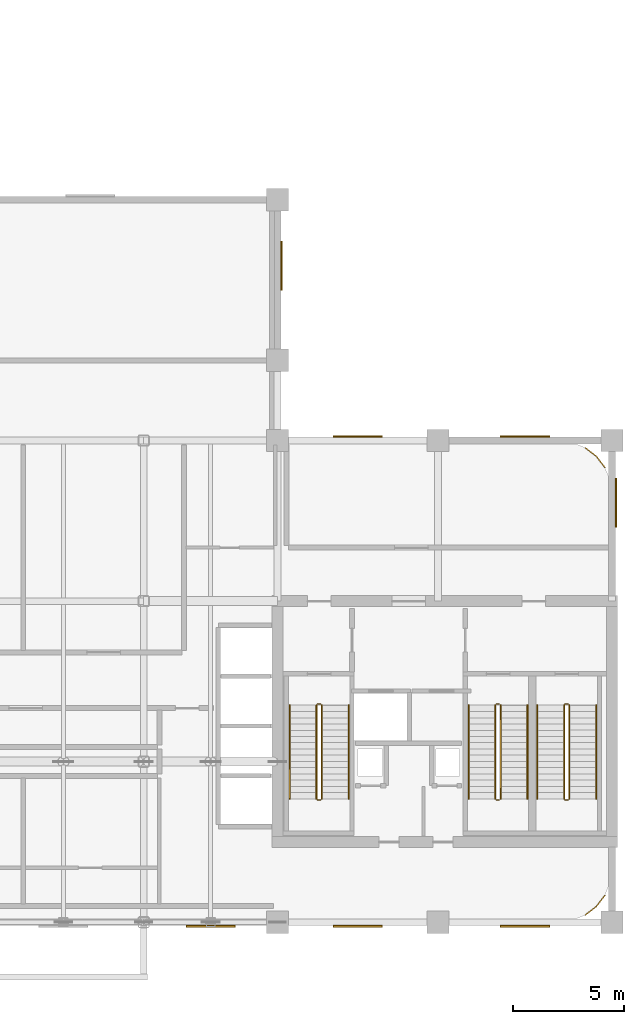
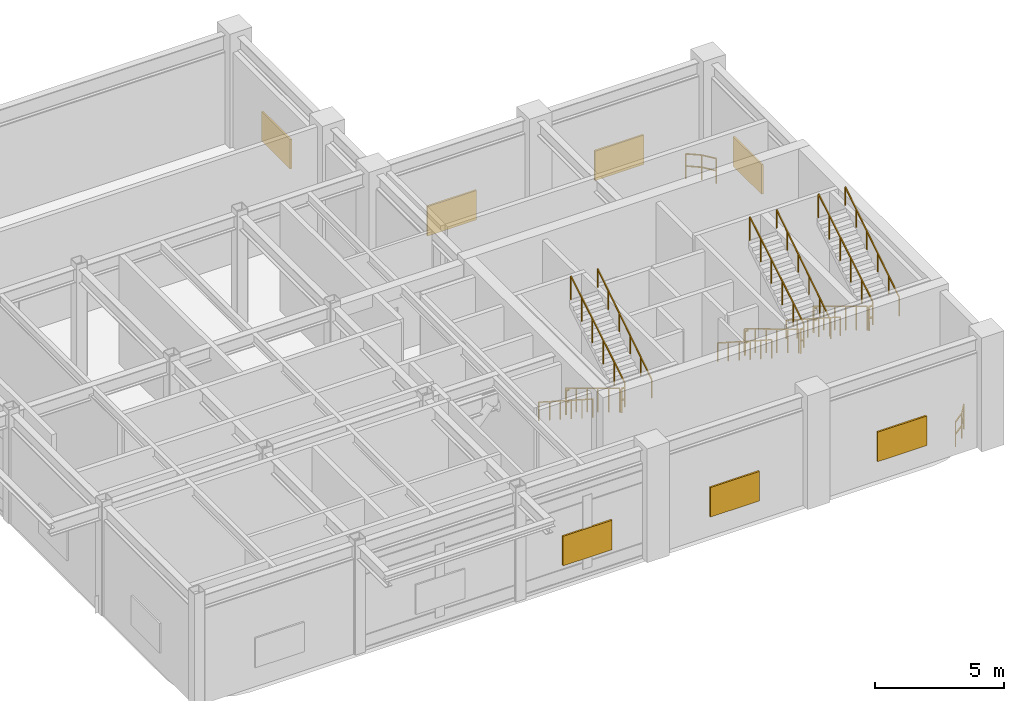
# One storey, part 9 of 10: 20 railings, 7 shading devices.
"""IFC4 building model written with IfcOpenShell, lengths in metres."""

from ifc_helpers import new_model, si_unit, derived_unit, direction, frame, origin, origin_2d, place, context, subcontext, project, spatial, rectangle, extrude, source, transform, mapped, material, layer, layer_set, type_object, type_shapes, element, save


model = new_model("IFC4")

# Units and contexts
model_context = context("Model", 3, precision=1e-05, world=origin(), true_north=direction((0.0, 1.0)))
body_context = subcontext(model_context, "Body", "Model", "MODEL_VIEW")
ifc_project = project(units=[si_unit("LENGTHUNIT", "METRE"), si_unit("AREAUNIT", "SQUARE_METRE"), si_unit("VOLUMEUNIT", "CUBIC_METRE"), si_unit("PLANEANGLEUNIT", "RADIAN"), si_unit("MASSUNIT", "GRAM", prefix="KILO"), si_unit("THERMODYNAMICTEMPERATUREUNIT", "KELVIN"), si_unit("POWERUNIT", "WATT"), derived_unit("THERMALTRANSMITTANCEUNIT", [(si_unit("POWERUNIT", "WATT"), 1), (si_unit("AREAUNIT", "SQUARE_METRE"), -1), (si_unit("THERMODYNAMICTEMPERATUREUNIT", "KELVIN"), -1)])], contexts=[model_context])

# Site, building, storey
site_placement = place(None, origin())
site = spatial("IfcSite", under=ifc_project, at=site_placement, CompositionType="ELEMENT")
building_placement = place(site_placement, origin())
building = spatial("IfcBuilding", under=site, at=building_placement, Name="Zahravan Archway Hotel and Residences", CompositionType="ELEMENT")
storey_placement = place(building_placement, frame((0.0, 0.0, 196.5)))
storey = spatial("IfcBuildingStorey", under=building, at=storey_placement, Name="L49", CompositionType="ELEMENT", Elevation=196.5)

# Railings
ifc_material_1 = material(Name="Painted Tubular Steel", Category="steel")
railing_type_1 = type_object("IfcRailingType", Name="RL-STG-1150", PredefinedType="GUARDRAIL", material=ifc_material_1)
railing_1_placement = place(storey_placement, frame((36.550048828125, 9.72998046875, 0.168701171875)))
element("IfcRailing", 1, at=railing_1_placement, inside=storey, type_object=railing_type_1, Name="L49 ST-A1 stair guard 1", PredefinedType="GUARDRAIL", context=body_context, shape_type="SweptSolid", body=[
    extrude(rectangle(XDim=0.048095703125, YDim=0.048095703125, at=origin_2d()), frame((0.0, 0.0, 1.1259765625), z_axis=(0.0, -0.856476492594, 0.516186030065), x_axis=(1.0, 0.0, 0.0)), (0.0, 0.0, 1.0), 4.90380859375),
    extrude(rectangle(XDim=0.0419921875, YDim=0.0419921875, at=origin_2d()), origin(), (0.0, 0.0, 1.0), 1.101806640625),
    extrude(rectangle(XDim=0.0419921875, YDim=0.0419921875, at=origin_2d()), frame((0.0, -0.840087890625, 0.50634765625)), (0.0, 0.0, 1.0), 1.101806640625),
    extrude(rectangle(XDim=0.0419921875, YDim=0.0419921875, at=origin_2d()), frame((0.0, -1.679931640625, 1.012451171875)), (0.0, 0.0, 1.0), 1.101806640625),
    extrude(rectangle(XDim=0.0419921875, YDim=0.0419921875, at=origin_2d()), frame((0.0, -2.52001953125, 1.518798828125)), (0.0, 0.0, 1.0), 1.101806640625),
    extrude(rectangle(XDim=0.0419921875, YDim=0.0419921875, at=origin_2d()), frame((0.0, -3.35986328125, 2.02490234375)), (0.0, 0.0, 1.0), 1.101806640625),
    extrude(rectangle(XDim=0.0419921875, YDim=0.0419921875, at=origin_2d()), frame((0.0, -4.199951171875, 2.53125)), (0.0, 0.0, 1.0), 1.101806640625),
])
railing_2_placement = place(storey_placement, frame((36.60009765625, 5.47998046875, 2.699951171875)))
element("IfcRailing", 2, at=railing_2_placement, inside=storey, type_object=railing_type_1, Name="L49 ST-A1 stair guard 2", PredefinedType="GUARDRAIL", context=body_context, shape_type="SweptSolid", body=[
    extrude(rectangle(XDim=0.048095703125, YDim=0.048095703125, at=origin_2d()), frame((0.0, 0.0, 1.1259765625), z_axis=(1.0, 0.0, 0.0), x_axis=(0.0, 1.0, 0.0)), (0.0, 0.0, 1.0), 0.139892578125),
    extrude(rectangle(XDim=0.048095703125, YDim=0.048095703125, at=origin_2d()), frame((0.0, 0.0, 0.574951171875), z_axis=(1.0, 0.0, 0.0), x_axis=(0.0, 1.0, 0.0)), (0.0, 0.0, 1.0), 0.139892578125),
    extrude(rectangle(XDim=0.0419921875, YDim=0.0419921875, at=origin_2d()), origin(), (0.0, 0.0, 1.0), 1.101806640625),
])
railing_3_placement = place(storey_placement, frame((36.7900390625, 5.530029296875, 2.86865234375)))
element("IfcRailing", 3, at=railing_3_placement, inside=storey, type_object=railing_type_1, Name="L49 ST-A1 stair guard 3", PredefinedType="GUARDRAIL", context=body_context, shape_type="SweptSolid", body=[
    extrude(rectangle(XDim=0.048095703125, YDim=0.048095703125, at=origin_2d()), frame((0.0, 0.0, 1.1259765625), z_axis=(0.0, 0.856476492594, 0.516186030065), x_axis=(-1.0, 0.0, 0.0)), (0.0, 0.0, 1.0), 4.90380859375),
    extrude(rectangle(XDim=0.0419921875, YDim=0.0419921875, at=origin_2d()), origin(), (0.0, 0.0, 1.0), 1.101806640625),
    extrude(rectangle(XDim=0.0419921875, YDim=0.0419921875, at=origin_2d()), frame((0.0, 0.840087890625, 0.50634765625)), (0.0, 0.0, 1.0), 1.101806640625),
    extrude(rectangle(XDim=0.0419921875, YDim=0.0419921875, at=origin_2d()), frame((0.0, 1.679931640625, 1.012451171875)), (0.0, 0.0, 1.0), 1.101806640625),
    extrude(rectangle(XDim=0.0419921875, YDim=0.0419921875, at=origin_2d()), frame((0.0, 2.52001953125, 1.518798828125)), (0.0, 0.0, 1.0), 1.101806640625),
    extrude(rectangle(XDim=0.0419921875, YDim=0.0419921875, at=origin_2d()), frame((0.0, 3.35986328125, 2.02490234375)), (0.0, 0.0, 1.0), 1.101806640625),
    extrude(rectangle(XDim=0.0419921875, YDim=0.0419921875, at=origin_2d()), frame((0.0, 4.199951171875, 2.53125)), (0.0, 0.0, 1.0), 1.101806640625),
])
railing_4_placement = place(storey_placement, frame((36.60009765625, 9.780029296875, 0.0)))
element("IfcRailing", 4, at=railing_4_placement, inside=storey, type_object=railing_type_1, Name="L49 ST-A1 stair guard 4", PredefinedType="GUARDRAIL", context=body_context, shape_type="SweptSolid", body=[
    extrude(rectangle(XDim=0.048095703125, YDim=0.048095703125, at=origin_2d()), frame((0.0, 0.0, 1.1259765625), z_axis=(1.0, 0.0, 0.0), x_axis=(0.0, 1.0, 0.0)), (0.0, 0.0, 1.0), 0.139892578125),
    extrude(rectangle(XDim=0.048095703125, YDim=0.048095703125, at=origin_2d()), frame((0.0, 0.0, 0.574951171875), z_axis=(1.0, 0.0, 0.0), x_axis=(0.0, 1.0, 0.0)), (0.0, 0.0, 1.0), 0.139892578125),
    extrude(rectangle(XDim=0.0419921875, YDim=0.0419921875, at=origin_2d()), origin(), (0.0, 0.0, 1.0), 1.101806640625),
])
railing_5_placement = place(storey_placement, frame((44.570068359375, 9.72998046875, 0.168701171875)))
element("IfcRailing", 5, at=railing_5_placement, inside=storey, type_object=railing_type_1, Name="L49 ST-A2 stair guard 1", PredefinedType="GUARDRAIL", context=body_context, shape_type="SweptSolid", body=[
    extrude(rectangle(XDim=0.048095703125, YDim=0.048095703125, at=origin_2d()), frame((0.0, 0.0, 1.1259765625), z_axis=(0.0, -0.856476492594, 0.516186030065), x_axis=(1.0, 0.0, 0.0)), (0.0, 0.0, 1.0), 4.90380859375),
    extrude(rectangle(XDim=0.0419921875, YDim=0.0419921875, at=origin_2d()), origin(), (0.0, 0.0, 1.0), 1.101806640625),
    extrude(rectangle(XDim=0.0419921875, YDim=0.0419921875, at=origin_2d()), frame((0.0, -0.840087890625, 0.50634765625)), (0.0, 0.0, 1.0), 1.101806640625),
    extrude(rectangle(XDim=0.0419921875, YDim=0.0419921875, at=origin_2d()), frame((0.0, -1.679931640625, 1.012451171875)), (0.0, 0.0, 1.0), 1.101806640625),
    extrude(rectangle(XDim=0.0419921875, YDim=0.0419921875, at=origin_2d()), frame((0.0, -2.52001953125, 1.518798828125)), (0.0, 0.0, 1.0), 1.101806640625),
    extrude(rectangle(XDim=0.0419921875, YDim=0.0419921875, at=origin_2d()), frame((0.0, -3.35986328125, 2.02490234375)), (0.0, 0.0, 1.0), 1.101806640625),
    extrude(rectangle(XDim=0.0419921875, YDim=0.0419921875, at=origin_2d()), frame((0.0, -4.199951171875, 2.53125)), (0.0, 0.0, 1.0), 1.101806640625),
])
railing_6_placement = place(storey_placement, frame((44.6201171875, 5.47998046875, 2.699951171875)))
element("IfcRailing", 6, at=railing_6_placement, inside=storey, type_object=railing_type_1, Name="L49 ST-A2 stair guard 2", PredefinedType="GUARDRAIL", context=body_context, shape_type="SweptSolid", body=[
    extrude(rectangle(XDim=0.048095703125, YDim=0.048095703125, at=origin_2d()), frame((0.0, 0.0, 1.1259765625), z_axis=(1.0, 0.0, 0.0), x_axis=(0.0, 1.0, 0.0)), (0.0, 0.0, 1.0), 0.139892578125),
    extrude(rectangle(XDim=0.048095703125, YDim=0.048095703125, at=origin_2d()), frame((0.0, 0.0, 0.574951171875), z_axis=(1.0, 0.0, 0.0), x_axis=(0.0, 1.0, 0.0)), (0.0, 0.0, 1.0), 0.139892578125),
    extrude(rectangle(XDim=0.0419921875, YDim=0.0419921875, at=origin_2d()), origin(), (0.0, 0.0, 1.0), 1.101806640625),
])
railing_7_placement = place(storey_placement, frame((44.81005859375, 5.530029296875, 2.86865234375)))
element("IfcRailing", 7, at=railing_7_placement, inside=storey, type_object=railing_type_1, Name="L49 ST-A2 stair guard 3", PredefinedType="GUARDRAIL", context=body_context, shape_type="SweptSolid", body=[
    extrude(rectangle(XDim=0.048095703125, YDim=0.048095703125, at=origin_2d()), frame((0.0, 0.0, 1.1259765625), z_axis=(0.0, 0.856476492594, 0.516186030065), x_axis=(-1.0, 0.0, 0.0)), (0.0, 0.0, 1.0), 4.90380859375),
    extrude(rectangle(XDim=0.0419921875, YDim=0.0419921875, at=origin_2d()), origin(), (0.0, 0.0, 1.0), 1.101806640625),
    extrude(rectangle(XDim=0.0419921875, YDim=0.0419921875, at=origin_2d()), frame((0.0, 0.840087890625, 0.50634765625)), (0.0, 0.0, 1.0), 1.101806640625),
    extrude(rectangle(XDim=0.0419921875, YDim=0.0419921875, at=origin_2d()), frame((0.0, 1.679931640625, 1.012451171875)), (0.0, 0.0, 1.0), 1.101806640625),
    extrude(rectangle(XDim=0.0419921875, YDim=0.0419921875, at=origin_2d()), frame((0.0, 2.52001953125, 1.518798828125)), (0.0, 0.0, 1.0), 1.101806640625),
    extrude(rectangle(XDim=0.0419921875, YDim=0.0419921875, at=origin_2d()), frame((0.0, 3.35986328125, 2.02490234375)), (0.0, 0.0, 1.0), 1.101806640625),
    extrude(rectangle(XDim=0.0419921875, YDim=0.0419921875, at=origin_2d()), frame((0.0, 4.199951171875, 2.53125)), (0.0, 0.0, 1.0), 1.101806640625),
])
railing_8_placement = place(storey_placement, frame((44.6201171875, 9.780029296875, 0.0)))
element("IfcRailing", 8, at=railing_8_placement, inside=storey, type_object=railing_type_1, Name="L49 ST-A2 stair guard 4", PredefinedType="GUARDRAIL", context=body_context, shape_type="SweptSolid", body=[
    extrude(rectangle(XDim=0.048095703125, YDim=0.048095703125, at=origin_2d()), frame((0.0, 0.0, 1.1259765625), z_axis=(1.0, 0.0, 0.0), x_axis=(0.0, 1.0, 0.0)), (0.0, 0.0, 1.0), 0.139892578125),
    extrude(rectangle(XDim=0.048095703125, YDim=0.048095703125, at=origin_2d()), frame((0.0, 0.0, 0.574951171875), z_axis=(1.0, 0.0, 0.0), x_axis=(0.0, 1.0, 0.0)), (0.0, 0.0, 1.0), 0.139892578125),
    extrude(rectangle(XDim=0.0419921875, YDim=0.0419921875, at=origin_2d()), origin(), (0.0, 0.0, 1.0), 1.101806640625),
])
railing_9_placement = place(storey_placement, frame((47.64990234375, 9.72998046875, 0.168701171875)))
element("IfcRailing", 9, at=railing_9_placement, inside=storey, type_object=railing_type_1, Name="L49 ST-A3 stair guard 1", PredefinedType="GUARDRAIL", context=body_context, shape_type="SweptSolid", body=[
    extrude(rectangle(XDim=0.048095703125, YDim=0.048095703125, at=origin_2d()), frame((0.0, 0.0, 1.1259765625), z_axis=(0.0, -0.856476492594, 0.516186030065), x_axis=(1.0, 0.0, 0.0)), (0.0, 0.0, 1.0), 4.90380859375),
    extrude(rectangle(XDim=0.0419921875, YDim=0.0419921875, at=origin_2d()), origin(), (0.0, 0.0, 1.0), 1.101806640625),
    extrude(rectangle(XDim=0.0419921875, YDim=0.0419921875, at=origin_2d()), frame((0.0, -0.840087890625, 0.50634765625)), (0.0, 0.0, 1.0), 1.101806640625),
    extrude(rectangle(XDim=0.0419921875, YDim=0.0419921875, at=origin_2d()), frame((0.0, -1.679931640625, 1.012451171875)), (0.0, 0.0, 1.0), 1.101806640625),
    extrude(rectangle(XDim=0.0419921875, YDim=0.0419921875, at=origin_2d()), frame((0.0, -2.52001953125, 1.518798828125)), (0.0, 0.0, 1.0), 1.101806640625),
    extrude(rectangle(XDim=0.0419921875, YDim=0.0419921875, at=origin_2d()), frame((0.0, -3.35986328125, 2.02490234375)), (0.0, 0.0, 1.0), 1.101806640625),
    extrude(rectangle(XDim=0.0419921875, YDim=0.0419921875, at=origin_2d()), frame((0.0, -4.199951171875, 2.53125)), (0.0, 0.0, 1.0), 1.101806640625),
])
railing_10_placement = place(storey_placement, frame((47.699951171875, 5.47998046875, 2.699951171875)))
element("IfcRailing", 10, at=railing_10_placement, inside=storey, type_object=railing_type_1, Name="L49 ST-A3 stair guard 2", PredefinedType="GUARDRAIL", context=body_context, shape_type="SweptSolid", body=[
    extrude(rectangle(XDim=0.048095703125, YDim=0.048095703125, at=origin_2d()), frame((0.0, 0.0, 1.1259765625), z_axis=(1.0, 0.0, 0.0), x_axis=(0.0, 1.0, 0.0)), (0.0, 0.0, 1.0), 0.14013671875),
    extrude(rectangle(XDim=0.048095703125, YDim=0.048095703125, at=origin_2d()), frame((0.0, 0.0, 0.574951171875), z_axis=(1.0, 0.0, 0.0), x_axis=(0.0, 1.0, 0.0)), (0.0, 0.0, 1.0), 0.14013671875),
    extrude(rectangle(XDim=0.0419921875, YDim=0.0419921875, at=origin_2d()), origin(), (0.0, 0.0, 1.0), 1.101806640625),
])
railing_11_placement = place(storey_placement, frame((47.889892578125, 5.530029296875, 2.86865234375)))
element("IfcRailing", 11, at=railing_11_placement, inside=storey, type_object=railing_type_1, Name="L49 ST-A3 stair guard 3", PredefinedType="GUARDRAIL", context=body_context, shape_type="SweptSolid", body=[
    extrude(rectangle(XDim=0.048095703125, YDim=0.048095703125, at=origin_2d()), frame((0.0, 0.0, 1.1259765625), z_axis=(0.0, 0.856476492594, 0.516186030065), x_axis=(-1.0, 0.0, 0.0)), (0.0, 0.0, 1.0), 4.90380859375),
    extrude(rectangle(XDim=0.0419921875, YDim=0.0419921875, at=origin_2d()), origin(), (0.0, 0.0, 1.0), 1.101806640625),
    extrude(rectangle(XDim=0.0419921875, YDim=0.0419921875, at=origin_2d()), frame((0.0, 0.840087890625, 0.50634765625)), (0.0, 0.0, 1.0), 1.101806640625),
    extrude(rectangle(XDim=0.0419921875, YDim=0.0419921875, at=origin_2d()), frame((0.0, 1.679931640625, 1.012451171875)), (0.0, 0.0, 1.0), 1.101806640625),
    extrude(rectangle(XDim=0.0419921875, YDim=0.0419921875, at=origin_2d()), frame((0.0, 2.52001953125, 1.518798828125)), (0.0, 0.0, 1.0), 1.101806640625),
    extrude(rectangle(XDim=0.0419921875, YDim=0.0419921875, at=origin_2d()), frame((0.0, 3.35986328125, 2.02490234375)), (0.0, 0.0, 1.0), 1.101806640625),
    extrude(rectangle(XDim=0.0419921875, YDim=0.0419921875, at=origin_2d()), frame((0.0, 4.199951171875, 2.53125)), (0.0, 0.0, 1.0), 1.101806640625),
])
railing_12_placement = place(storey_placement, frame((47.699951171875, 9.780029296875, 0.0)))
element("IfcRailing", 12, at=railing_12_placement, inside=storey, type_object=railing_type_1, Name="L49 ST-A3 stair guard 4", PredefinedType="GUARDRAIL", context=body_context, shape_type="SweptSolid", body=[
    extrude(rectangle(XDim=0.048095703125, YDim=0.048095703125, at=origin_2d()), frame((0.0, 0.0, 1.1259765625), z_axis=(1.0, 0.0, 0.0), x_axis=(0.0, 1.0, 0.0)), (0.0, 0.0, 1.0), 0.14013671875),
    extrude(rectangle(XDim=0.048095703125, YDim=0.048095703125, at=origin_2d()), frame((0.0, 0.0, 0.574951171875), z_axis=(1.0, 0.0, 0.0), x_axis=(0.0, 1.0, 0.0)), (0.0, 0.0, 1.0), 0.14013671875),
    extrude(rectangle(XDim=0.0419921875, YDim=0.0419921875, at=origin_2d()), origin(), (0.0, 0.0, 1.0), 1.101806640625),
])
ifc_material_2 = material(Name="Brushed Stainless Steel", Category="steel")
railing_type_2 = type_object("IfcRailingType", Name="RL-STH-900", PredefinedType="HANDRAIL", material=ifc_material_2)
railing_13_placement = place(storey_placement, frame((35.35009765625, 9.72998046875, 0.168701171875)))
element("IfcRailing", 13, at=railing_13_placement, inside=storey, type_object=railing_type_2, Name="L49 ST-A1 stair handrail 1", PredefinedType="HANDRAIL", context=body_context, shape_type="SweptSolid", body=[
    extrude(rectangle(XDim=0.048095703125, YDim=0.048095703125, at=origin_2d()), frame((0.0, 0.0, 0.8759765625), z_axis=(0.0, -0.841180064094, 0.540755119968), x_axis=(1.0, 0.0, 0.0)), (0.0, 0.0, 1.0), 4.992919921875),
    extrude(rectangle(XDim=0.0419921875, YDim=0.0419921875, at=origin_2d()), origin(), (0.0, 0.0, 1.0), 0.851806640625),
    extrude(rectangle(XDim=0.0419921875, YDim=0.0419921875, at=origin_2d()), frame((0.0, -0.840087890625, 0.5400390625)), (0.0, 0.0, 1.0), 0.851806640625),
    extrude(rectangle(XDim=0.0419921875, YDim=0.0419921875, at=origin_2d()), frame((0.0, -1.679931640625, 1.080078125)), (0.0, 0.0, 1.0), 0.851806640625),
    extrude(rectangle(XDim=0.0419921875, YDim=0.0419921875, at=origin_2d()), frame((0.0, -2.52001953125, 1.619873046875)), (0.0, 0.0, 1.0), 0.851806640625),
    extrude(rectangle(XDim=0.0419921875, YDim=0.0419921875, at=origin_2d()), frame((0.0, -3.35986328125, 2.159912109375)), (0.0, 0.0, 1.0), 0.851806640625),
    extrude(rectangle(XDim=0.0419921875, YDim=0.0419921875, at=origin_2d()), frame((0.0, -4.199951171875, 2.699951171875)), (0.0, 0.0, 1.0), 0.851806640625),
])
railing_14_placement = place(storey_placement, frame((37.989990234375, 5.530029296875, 2.86865234375)))
element("IfcRailing", 14, at=railing_14_placement, inside=storey, type_object=railing_type_2, Name="L49 ST-A1 stair handrail 2", PredefinedType="HANDRAIL", context=body_context, shape_type="SweptSolid", body=[
    extrude(rectangle(XDim=0.048095703125, YDim=0.048095703125, at=origin_2d()), frame((0.0, 0.0, 0.8759765625), z_axis=(0.0, 0.841157821942, 0.54078971753), x_axis=(-1.0, 0.0, 0.0)), (0.0, 0.0, 1.0), 4.9931640625),
    extrude(rectangle(XDim=0.0419921875, YDim=0.0419921875, at=origin_2d()), origin(), (0.0, 0.0, 1.0), 0.851806640625),
    extrude(rectangle(XDim=0.0419921875, YDim=0.0419921875, at=origin_2d()), frame((0.0, 0.840087890625, 0.5400390625)), (0.0, 0.0, 1.0), 0.851806640625),
    extrude(rectangle(XDim=0.0419921875, YDim=0.0419921875, at=origin_2d()), frame((0.0, 1.679931640625, 1.080078125)), (0.0, 0.0, 1.0), 0.851806640625),
    extrude(rectangle(XDim=0.0419921875, YDim=0.0419921875, at=origin_2d()), frame((0.0, 2.52001953125, 1.6201171875)), (0.0, 0.0, 1.0), 0.851806640625),
    extrude(rectangle(XDim=0.0419921875, YDim=0.0419921875, at=origin_2d()), frame((0.0, 3.35986328125, 2.16015625)), (0.0, 0.0, 1.0), 0.851806640625),
    extrude(rectangle(XDim=0.0419921875, YDim=0.0419921875, at=origin_2d()), frame((0.0, 4.199951171875, 2.7001953125)), (0.0, 0.0, 1.0), 0.851806640625),
])
railing_15_placement = place(storey_placement, frame((43.3701171875, 9.72998046875, 0.168701171875)))
element("IfcRailing", 15, at=railing_15_placement, inside=storey, type_object=railing_type_2, Name="L49 ST-A2 stair handrail 1", PredefinedType="HANDRAIL", context=body_context, shape_type="SweptSolid", body=[
    extrude(rectangle(XDim=0.048095703125, YDim=0.048095703125, at=origin_2d()), frame((0.0, 0.0, 0.8759765625), z_axis=(0.0, -0.841180064094, 0.540755119968), x_axis=(1.0, 0.0, 0.0)), (0.0, 0.0, 1.0), 4.992919921875),
    extrude(rectangle(XDim=0.0419921875, YDim=0.0419921875, at=origin_2d()), origin(), (0.0, 0.0, 1.0), 0.851806640625),
    extrude(rectangle(XDim=0.0419921875, YDim=0.0419921875, at=origin_2d()), frame((0.0, -0.840087890625, 0.5400390625)), (0.0, 0.0, 1.0), 0.851806640625),
    extrude(rectangle(XDim=0.0419921875, YDim=0.0419921875, at=origin_2d()), frame((0.0, -1.679931640625, 1.080078125)), (0.0, 0.0, 1.0), 0.851806640625),
    extrude(rectangle(XDim=0.0419921875, YDim=0.0419921875, at=origin_2d()), frame((0.0, -2.52001953125, 1.619873046875)), (0.0, 0.0, 1.0), 0.851806640625),
    extrude(rectangle(XDim=0.0419921875, YDim=0.0419921875, at=origin_2d()), frame((0.0, -3.35986328125, 2.159912109375)), (0.0, 0.0, 1.0), 0.851806640625),
    extrude(rectangle(XDim=0.0419921875, YDim=0.0419921875, at=origin_2d()), frame((0.0, -4.199951171875, 2.699951171875)), (0.0, 0.0, 1.0), 0.851806640625),
])
railing_16_placement = place(storey_placement, frame((46.010009765625, 5.530029296875, 2.86865234375)))
element("IfcRailing", 16, at=railing_16_placement, inside=storey, type_object=railing_type_2, Name="L49 ST-A2 stair handrail 2", PredefinedType="HANDRAIL", context=body_context, shape_type="SweptSolid", body=[
    extrude(rectangle(XDim=0.048095703125, YDim=0.048095703125, at=origin_2d()), frame((0.0, 0.0, 0.8759765625), z_axis=(0.0, 0.841157821942, 0.54078971753), x_axis=(-1.0, 0.0, 0.0)), (0.0, 0.0, 1.0), 4.9931640625),
    extrude(rectangle(XDim=0.0419921875, YDim=0.0419921875, at=origin_2d()), origin(), (0.0, 0.0, 1.0), 0.851806640625),
    extrude(rectangle(XDim=0.0419921875, YDim=0.0419921875, at=origin_2d()), frame((0.0, 0.840087890625, 0.5400390625)), (0.0, 0.0, 1.0), 0.851806640625),
    extrude(rectangle(XDim=0.0419921875, YDim=0.0419921875, at=origin_2d()), frame((0.0, 1.679931640625, 1.080078125)), (0.0, 0.0, 1.0), 0.851806640625),
    extrude(rectangle(XDim=0.0419921875, YDim=0.0419921875, at=origin_2d()), frame((0.0, 2.52001953125, 1.6201171875)), (0.0, 0.0, 1.0), 0.851806640625),
    extrude(rectangle(XDim=0.0419921875, YDim=0.0419921875, at=origin_2d()), frame((0.0, 3.35986328125, 2.16015625)), (0.0, 0.0, 1.0), 0.851806640625),
    extrude(rectangle(XDim=0.0419921875, YDim=0.0419921875, at=origin_2d()), frame((0.0, 4.199951171875, 2.7001953125)), (0.0, 0.0, 1.0), 0.851806640625),
])
railing_17_placement = place(storey_placement, frame((46.449951171875, 9.72998046875, 0.168701171875)))
element("IfcRailing", 17, at=railing_17_placement, inside=storey, type_object=railing_type_2, Name="L49 ST-A3 stair handrail 1", PredefinedType="HANDRAIL", context=body_context, shape_type="SweptSolid", body=[
    extrude(rectangle(XDim=0.048095703125, YDim=0.048095703125, at=origin_2d()), frame((0.0, 0.0, 0.8759765625), z_axis=(0.0, -0.841180064094, 0.540755119968), x_axis=(1.0, 0.0, 0.0)), (0.0, 0.0, 1.0), 4.992919921875),
    extrude(rectangle(XDim=0.0419921875, YDim=0.0419921875, at=origin_2d()), origin(), (0.0, 0.0, 1.0), 0.851806640625),
    extrude(rectangle(XDim=0.0419921875, YDim=0.0419921875, at=origin_2d()), frame((0.0, -0.840087890625, 0.5400390625)), (0.0, 0.0, 1.0), 0.851806640625),
    extrude(rectangle(XDim=0.0419921875, YDim=0.0419921875, at=origin_2d()), frame((0.0, -1.679931640625, 1.080078125)), (0.0, 0.0, 1.0), 0.851806640625),
    extrude(rectangle(XDim=0.0419921875, YDim=0.0419921875, at=origin_2d()), frame((0.0, -2.52001953125, 1.619873046875)), (0.0, 0.0, 1.0), 0.851806640625),
    extrude(rectangle(XDim=0.0419921875, YDim=0.0419921875, at=origin_2d()), frame((0.0, -3.35986328125, 2.159912109375)), (0.0, 0.0, 1.0), 0.851806640625),
    extrude(rectangle(XDim=0.0419921875, YDim=0.0419921875, at=origin_2d()), frame((0.0, -4.199951171875, 2.699951171875)), (0.0, 0.0, 1.0), 0.851806640625),
])
railing_18_placement = place(storey_placement, frame((49.090087890625, 5.530029296875, 2.86865234375)))
element("IfcRailing", 18, at=railing_18_placement, inside=storey, type_object=railing_type_2, Name="L49 ST-A3 stair handrail 2", PredefinedType="HANDRAIL", context=body_context, shape_type="SweptSolid", body=[
    extrude(rectangle(XDim=0.048095703125, YDim=0.048095703125, at=origin_2d()), frame((0.0, 0.0, 0.8759765625), z_axis=(0.0, 0.841157821942, 0.54078971753), x_axis=(-1.0, 0.0, 0.0)), (0.0, 0.0, 1.0), 4.9931640625),
    extrude(rectangle(XDim=0.0419921875, YDim=0.0419921875, at=origin_2d()), origin(), (0.0, 0.0, 1.0), 0.851806640625),
    extrude(rectangle(XDim=0.0419921875, YDim=0.0419921875, at=origin_2d()), frame((0.0, 0.840087890625, 0.5400390625)), (0.0, 0.0, 1.0), 0.851806640625),
    extrude(rectangle(XDim=0.0419921875, YDim=0.0419921875, at=origin_2d()), frame((0.0, 1.679931640625, 1.080078125)), (0.0, 0.0, 1.0), 0.851806640625),
    extrude(rectangle(XDim=0.0419921875, YDim=0.0419921875, at=origin_2d()), frame((0.0, 2.52001953125, 1.6201171875)), (0.0, 0.0, 1.0), 0.851806640625),
    extrude(rectangle(XDim=0.0419921875, YDim=0.0419921875, at=origin_2d()), frame((0.0, 3.35986328125, 2.16015625)), (0.0, 0.0, 1.0), 0.851806640625),
    extrude(rectangle(XDim=0.0419921875, YDim=0.0419921875, at=origin_2d()), frame((0.0, 4.199951171875, 2.7001953125)), (0.0, 0.0, 1.0), 0.851806640625),
])
ifc_material_3 = material(Name="Architectural Bronze Terrace Guardrail")
railing_type_3 = type_object("IfcRailingType", Name="RL-TER-1200", PredefinedType="GUARDRAIL", material=ifc_material_3)
railing_19_placement = place(storey_placement, frame((48.60009765625, 0.321533203125, 0.0)))
element("IfcRailing", 19, at=railing_19_placement, inside=storey, type_object=railing_type_3, Name="L49 Balustrade RL-REFCRN-L49-4", PredefinedType="GUARDRAIL", context=body_context, shape_type="SweptSolid", body=[
    extrude(rectangle(XDim=0.048095703125, YDim=0.048095703125, at=origin_2d()), frame((0.0, 0.0, 1.17578125), z_axis=(0.793405610854, 0.608693302629, 0.0), x_axis=(-0.608693302629, 0.793405610854, 0.0)), (0.0, 0.0, 1.0), 0.62646484375),
    extrude(rectangle(XDim=0.048095703125, YDim=0.048095703125, at=origin_2d()), frame((0.0, 0.0, 0.60009765625), z_axis=(0.793405610854, 0.608693302629, 0.0), x_axis=(-0.608693302629, 0.793405610854, 0.0)), (0.0, 0.0, 1.0), 0.62646484375),
    extrude(rectangle(XDim=0.048095703125, YDim=0.048095703125, at=origin_2d()), frame((0.4970703125, 0.38134765625, 1.17578125), z_axis=(0.608693302629, 0.793405610854, 0.0), x_axis=(-0.793405610854, 0.608693302629, 0.0)), (0.0, 0.0, 1.0), 0.62646484375),
    extrude(rectangle(XDim=0.048095703125, YDim=0.048095703125, at=origin_2d()), frame((0.4970703125, 0.38134765625, 0.60009765625), z_axis=(0.608693302629, 0.793405610854, 0.0), x_axis=(-0.793405610854, 0.608693302629, 0.0)), (0.0, 0.0, 1.0), 0.62646484375),
    extrude(rectangle(XDim=0.0419921875, YDim=0.0419921875, at=origin_2d()), origin(), (0.0, 0.0, 1.0), 1.15185546875),
    extrude(rectangle(XDim=0.0419921875, YDim=0.0419921875, at=origin_2d()), frame((0.4970703125, 0.38134765625, 0.0)), (0.0, 0.0, 1.0), 1.15185546875),
    extrude(rectangle(XDim=0.0419921875, YDim=0.0419921875, at=origin_2d()), frame((0.87841796875, 0.87841796875, 0.0)), (0.0, 0.0, 1.0), 1.15185546875),
])
railing_20_placement = place(storey_placement, frame((49.478515625, 20.39990234375, 0.0)))
element("IfcRailing", 20, at=railing_20_placement, inside=storey, type_object=railing_type_3, Name="L49 Balustrade RL-REFCRN-L49-5", PredefinedType="GUARDRAIL", context=body_context, shape_type="SweptSolid", body=[
    extrude(rectangle(XDim=0.048095703125, YDim=0.048095703125, at=origin_2d()), frame((0.0, 0.0, 1.17578125), z_axis=(-0.608505147302, 0.793549926411, 0.0), x_axis=(-0.793549926411, -0.608505147302, 0.0)), (0.0, 0.0, 1.0), 0.626708984375),
    extrude(rectangle(XDim=0.048095703125, YDim=0.048095703125, at=origin_2d()), frame((0.0, 0.0, 0.60009765625), z_axis=(-0.608505147302, 0.793549926411, 0.0), x_axis=(-0.793549926411, -0.608505147302, 0.0)), (0.0, 0.0, 1.0), 0.626708984375),
    extrude(rectangle(XDim=0.048095703125, YDim=0.048095703125, at=origin_2d()), frame((-0.38134765625, 0.497314453125, 1.17578125), z_axis=(-0.793405610854, 0.608693302629, 0.0), x_axis=(-0.608693302629, -0.793405610854, 0.0)), (0.0, 0.0, 1.0), 0.62646484375),
    extrude(rectangle(XDim=0.048095703125, YDim=0.048095703125, at=origin_2d()), frame((-0.38134765625, 0.497314453125, 0.60009765625), z_axis=(-0.793405610854, 0.608693302629, 0.0), x_axis=(-0.608693302629, -0.793405610854, 0.0)), (0.0, 0.0, 1.0), 0.62646484375),
    extrude(rectangle(XDim=0.0419921875, YDim=0.0419921875, at=origin_2d()), origin(), (0.0, 0.0, 1.0), 1.15185546875),
    extrude(rectangle(XDim=0.0419921875, YDim=0.0419921875, at=origin_2d()), frame((-0.38134765625, 0.497314453125, 0.0)), (0.0, 0.0, 1.0), 1.15185546875),
    extrude(rectangle(XDim=0.0419921875, YDim=0.0419921875, at=origin_2d()), frame((-0.87841796875, 0.878662109375, 0.0)), (0.0, 0.0, 1.0), 1.15185546875),
])

# Shading devices
ifc_material_4 = material(Name="Bronze Acoustic Intake Louvre")
ifc_layer = layer(ifc_material_4, 0.080078125, Name="Bronze Acoustic Intake Louvre")
ifc_layer_set = layer_set([ifc_layer], Name="Bronze Acoustic Intake Louvre")
shading_device_type = type_object("IfcShadingDeviceType", Name="SHD-LOUVRE-60", PredefinedType="USERDEFINED", material=ifc_layer_set)
shared_shape = source(origin(), body_context, "Body", "SweptSolid", [
    extrude(rectangle(XDim=2.199951171875, YDim=0.080078125, at=origin_2d()), origin(), (0.0, 0.0, 1.0), 1.39990234375),
])
type_shapes(shading_device_type, [shared_shape])
for number, where, z_axis, x_axis, name in (
    (21, (31.800048828125, -0.179931640625, 0.949951171875), (0.0, 0.0, 1.0), (1.0, 0.0, 0.0), "L49 Acoustic Plant Intake Louvre 03"),
    (22, (38.39990234375, -0.179931640625, 0.949951171875), (0.0, 0.0, 1.0), (1.0, 0.0, 0.0), "L49 Acoustic Plant Intake Louvre 04"),
    (23, (45.89990234375, -0.179931640625, 0.949951171875), (0.0, 0.0, 1.0), (1.0, 0.0, 0.0), "L49 Acoustic Plant Intake Louvre 05"),
    (24, (49.97998046875, 18.802978515625, 0.949951171875), (0.0, 0.0, 1.0), (0.0, 1.0, 0.0), "L49 Acoustic Plant Intake Louvre 06"),
    (25, (38.39990234375, 21.780029296875, 0.949951171875), (0.0, 0.0, 1.0), (1.0, 0.0, 0.0), "L49 Acoustic Plant Intake Louvre 07"),
    (26, (45.89990234375, 21.780029296875, 0.949951171875), (0.0, 0.0, 1.0), (1.0, 0.0, 0.0), "L49 Acoustic Plant Intake Louvre 08"),
    (27, (34.97998046875, 29.430908203125, 0.949951171875), (0.0, 0.0, 1.0), (0.0, 1.0, 0.0), "L49 Acoustic Plant Intake Louvre 20"),
):
    element("IfcShadingDevice", number, at=place(storey_placement, frame(where, z_axis=z_axis, x_axis=x_axis)), inside=storey, type_object=shading_device_type, Name=name, ObjectType="LOUVER", PredefinedType="USERDEFINED", context=body_context, shape_type="MappedRepresentation", body=[
        mapped(shared_shape, transform((0.0, 0.0, 0.0), scale=1.0)),
    ])

save(model, "model.ifc")
